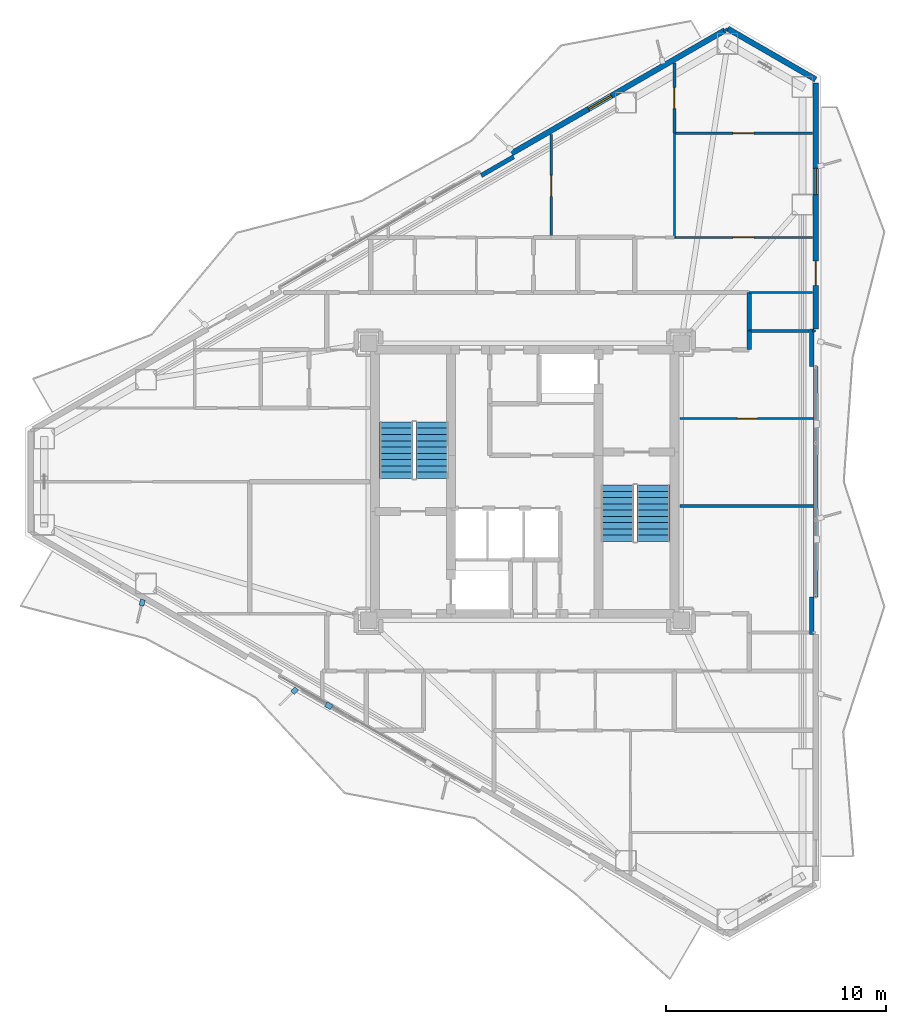
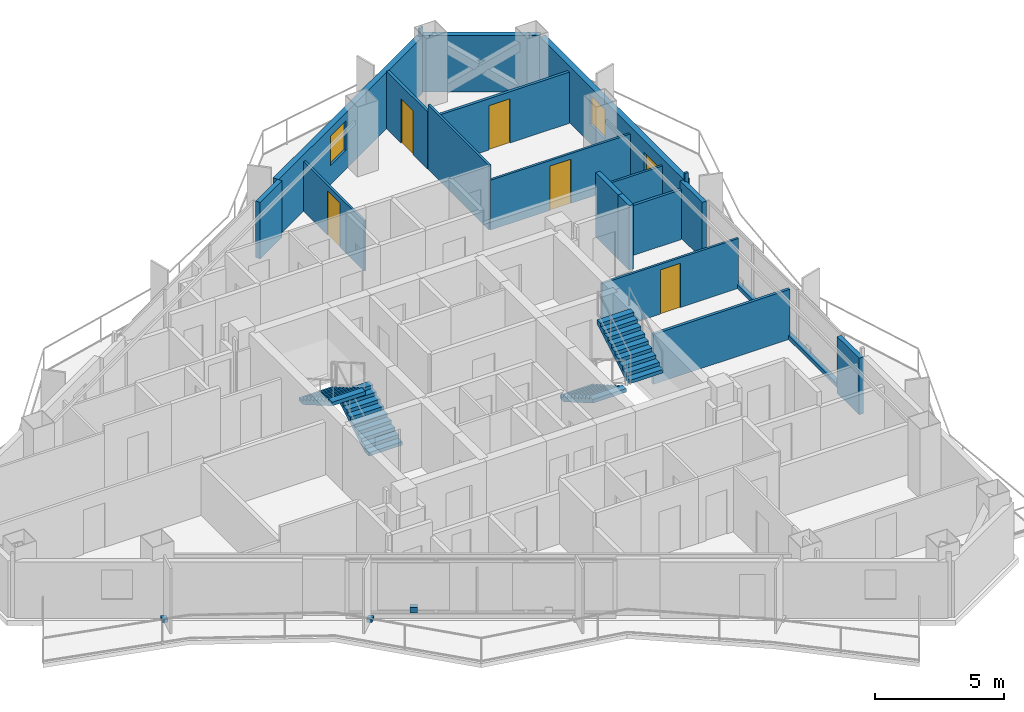
# One storey, part 16 of 19: 20 walls, 6 doors, 4 stair flights, 3 discrete accessories, 2 windows, 8 openings, 2 elements without a shape of their own.
"""IFC4 building model written with IfcOpenShell, lengths in metres."""

from ifc_helpers import new_model, si_unit, direction, frame, frame_2d, origin, origin_2d, place, context, subcontext, project, spatial, polyline, rectangle, outline, extrude, material, layer, layer_set, type_object, element, fill, aggregate, save


model = new_model("IFC4")

# Units and contexts
model_context = context("Model", 3, precision=1e-05, world=origin(), true_north=direction((0.0, 1.0)))
body_context = subcontext(model_context, "Body", "Model", "MODEL_VIEW")
ifc_project = project(units=[si_unit("LENGTHUNIT", "METRE"), si_unit("AREAUNIT", "SQUARE_METRE"), si_unit("VOLUMEUNIT", "CUBIC_METRE"), si_unit("PLANEANGLEUNIT", "RADIAN"), si_unit("MASSUNIT", "GRAM", prefix="KILO")], contexts=[model_context])

# Site, building, storey
site_placement = place(None, origin())
site = spatial("IfcSite", under=ifc_project, at=site_placement, CompositionType="ELEMENT")
building_placement = place(site_placement, origin())
building = spatial("IfcBuilding", under=site, at=building_placement, Name="Mersakhor Tower and Convention Hall", CompositionType="ELEMENT")
storey_placement = place(building_placement, frame((0.0, 0.0, 131.10009765625)))
storey = spatial("IfcBuildingStorey", under=building, at=storey_placement, Name="L36", CompositionType="ELEMENT", Elevation=131.10009765625)

# Wall
ifc_material_1 = material(Name="Precast concrete C40/50", Category="concrete")
ifc_layer_1 = layer(ifc_material_1, 0.25)
ifc_layer_set_1 = layer_set([ifc_layer_1], Name="Precast concrete C40/50")
wall_type_1 = type_object("IfcWallType", Name="WL-EXT-250", PredefinedType="SOLIDWALL", material=ifc_layer_set_1)
wall_1_placement = place(storey_placement, frame((38.220458984375, 47.337646484375, 0.0), z_axis=(0.0, 0.0, 1.0), x_axis=(0.866035021055, -0.499983342029, 0.0)))
element("IfcWall", 1, at=wall_1_placement, inside=storey, type_object=wall_type_1, Name="L36 Chamfer Braced Spandrel Wall C1", PredefinedType="SOLIDWALL", context=body_context, shape_type="SweptSolid", body=[
    extrude(rectangle(XDim=4.617431640625, YDim=0.25, at=frame_2d((2.30859375, 0.0))), origin(), (0.0, 0.0, 1.0), 2.679931640625),
])

# Wall, opening, window
wall_2_placement = place(storey_placement, frame((28.4033203125, 41.669677734375, 0.0), z_axis=(0.0, 0.0, 1.0), x_axis=(0.86602239209, 0.500005216371, 0.0)))
wall_2 = element("IfcWall", 2, at=wall_2_placement, inside=storey, type_object=wall_type_1, Name="L36 Exterior Facade Wall F1-B3", PredefinedType="SOLIDWALL", context=body_context, shape_type="SweptSolid", body=[
    extrude(rectangle(XDim=11.18603515625, YDim=0.25, at=frame_2d((5.593017578125, 0.0))), origin(), (0.0, 0.0, 1.0), 2.679931640625),
])
opening_1_placement = place(wall_2_placement, frame((4.0390625, 0.0, 0.89990234375)))
opening_1 = element("IfcOpeningElement", 3, at=opening_1_placement, cuts=wall_2, Name="Opening W-01", PredefinedType="OPENING", context=body_context, shape_type="SweptSolid", body=[
    extrude(rectangle(XDim=1.199951171875, YDim=1.39990234375, at=frame_2d((0.60009765625, 0.699951171875))), frame((0.0, 0.135009765625, 0.0), z_axis=(0.0, -1.0, 0.0), x_axis=(1.0, 0.0, 0.0)), (0.0, 0.0, 1.0), 0.27001953125),
])
ifc_material_2 = material(Name="Dark solar low-E glazed aluminium window", Category="aluminium")
window_type = type_object("IfcWindowType", Name="WN-RES-120x150", PartitioningType="SINGLE_PANEL", PredefinedType="WINDOW", material=ifc_material_2)
window_1_placement = place(opening_1_placement, origin())
window_1 = element("IfcWindow", 4, at=window_1_placement, inside=storey, type_object=window_type, Name="L36 Bedroom Facade Window F1-B3-1", OverallHeight=1.39990234375, OverallWidth=1.199951171875, PartitioningType="SINGLE_PANEL", PredefinedType="WINDOW", context=body_context, shape_type="SweptSolid", body=[
    extrude(rectangle(XDim=1.199951171875, YDim=1.39990234375, at=frame_2d((0.60009765625, 0.699951171875))), frame((0.0, 0.030029296875, 0.0), z_axis=(0.0, -1.0, 0.0), x_axis=(1.0, 0.0, 0.0)), (0.0, 0.0, 1.0), 0.06005859375),
])
fill(opening_1, window_1)

# Wall, openings, door, window
wall_3_placement = place(storey_placement, frame((42.21923828125, 44.87890625, 0.0), z_axis=(0.0, 0.0, 1.0), x_axis=(0.0, -1.0, 0.0)))
wall_3 = element("IfcWall", 5, at=wall_3_placement, inside=storey, type_object=wall_type_1, Name="L36 Exterior Facade Wall F2-B1", PredefinedType="SOLIDWALL", context=body_context, shape_type="SweptSolid", body=[
    extrude(rectangle(XDim=11.185791015625, YDim=0.25, at=frame_2d((5.5927734375, 0.0))), origin(), (0.0, 0.0, 1.0), 2.679931640625),
])
opening_2_placement = place(wall_3_placement, frame((8.10888671875, 0.0, 0.0)))
opening_2 = element("IfcOpeningElement", 6, at=opening_2_placement, cuts=wall_3, Name="Opening BD-02", PredefinedType="OPENING", context=body_context, shape_type="SweptSolid", body=[
    extrude(rectangle(XDim=1.10009765625, YDim=2.10009765625, at=frame_2d((0.550048828125, 1.050048828125))), frame((0.0, 0.135009765625, 0.0), z_axis=(0.0, -1.0, 0.0), x_axis=(1.0, 0.0, 0.0)), (0.0, 0.0, 1.0), 0.27001953125),
])
opening_3_placement = place(wall_3_placement, frame((3.885986328125, 0.0, 0.89990234375)))
opening_3 = element("IfcOpeningElement", 7, at=opening_3_placement, cuts=wall_3, Name="Opening W-01", PredefinedType="OPENING", context=body_context, shape_type="SweptSolid", body=[
    extrude(rectangle(XDim=1.199951171875, YDim=1.39990234375, at=frame_2d((0.60009765625, 0.699951171875))), frame((0.0, 0.135009765625, 0.0), z_axis=(0.0, -1.0, 0.0), x_axis=(1.0, 0.0, 0.0)), (0.0, 0.0, 1.0), 0.27001953125),
])
ifc_material_3 = material(Name="Thermally broken dark aluminium and safety glass", Category="aluminium")
door_type_1 = type_object("IfcDoorType", Name="DR-BAL-110x210", OperationType="NOTDEFINED", PredefinedType="DOOR", material=ifc_material_3)
door_1_placement = place(opening_2_placement, origin())
door_1 = element("IfcDoor", 8, at=door_1_placement, inside=storey, type_object=door_type_1, Name="L36 Balcony Terrace Door F2-B1", OperationType="SINGLE_SWING_RIGHT", OverallHeight=2.10009765625, OverallWidth=1.10009765625, PredefinedType="DOOR", context=body_context, shape_type="SweptSolid", body=[
    extrude(rectangle(XDim=1.10009765625, YDim=2.10009765625, at=frame_2d((0.550048828125, 1.050048828125))), frame((0.0, 0.02490234375, 0.0), z_axis=(0.0, -1.0, 0.0), x_axis=(1.0, 0.0, 0.0)), (0.0, 0.0, 1.0), 0.050048828125),
])
fill(opening_2, door_1)
window_2_placement = place(opening_3_placement, origin())
window_2 = element("IfcWindow", 9, at=window_2_placement, inside=storey, type_object=window_type, Name="L36 Bedroom Facade Window F2-B1-1", OverallHeight=1.39990234375, OverallWidth=1.199951171875, PartitioningType="SINGLE_PANEL", PredefinedType="WINDOW", context=body_context, shape_type="SweptSolid", body=[
    extrude(rectangle(XDim=1.199951171875, YDim=1.39990234375, at=frame_2d((0.60009765625, 0.699951171875))), frame((0.0, 0.030029296875, 0.0), z_axis=(0.0, -1.0, 0.0), x_axis=(1.0, 0.0, 0.0)), (0.0, 0.0, 1.0), 0.06005859375),
])
fill(opening_3, window_2)

# Walls
ifc_material_4 = material(Name="Precast concrete C40/50", Category="concrete")
ifc_layer_2 = layer(ifc_material_4, 0.199951171875)
ifc_layer_set_2 = layer_set([ifc_layer_2], Name="Precast concrete C40/50")
wall_type_2 = type_object("IfcWallType", Name="WL-PAR-200", PredefinedType="PARAPET", material=ifc_layer_set_2)
wall_4_placement = place(storey_placement, frame((27.02099609375, 40.663818359375, 0.0), z_axis=(0.0, 0.0, 1.0), x_axis=(0.86605165483, 0.499954529098, 0.0)))
element("IfcWall", 10, at=wall_4_placement, inside=storey, type_object=wall_type_2, Name="L36 Column Pier Cladding Wall F1-C2", PredefinedType="PARAPET", context=body_context, shape_type="SweptSolid", body=[
    extrude(rectangle(XDim=1.699951171875, YDim=0.199951171875, at=frame_2d((0.85009765625, 0.0))), origin(), (0.0, 0.0, 1.0), 2.679931640625),
])
wall_5_placement = place(storey_placement, frame((42.21923828125, 31.992919921875, 0.0), z_axis=(0.0, 0.0, 1.0), x_axis=(0.0, -1.0, 0.0)))
element("IfcWall", 11, at=wall_5_placement, inside=storey, type_object=wall_type_2, Name="L36 Curtain Wall Upstand Sill F2-B2", PredefinedType="PARAPET", context=body_context, shape_type="SweptSolid", body=[
    extrude(rectangle(XDim=10.48583984375, YDim=0.199951171875, at=frame_2d((5.242919921875, 0.0))), origin(), (0.0, 0.0, 1.0), 0.199951171875),
])
for number, where, z_axis, x_axis, name in (
    (12, (42.039306640625, 33.693115234375, 0.0), (0.0, 0.0, 1.0), (0.0, -1.0, 0.0), "L36 Column Pier Cladding Wall F2-C1"),
    (13, (42.039306640625, 21.507080078125, 0.0), (0.0, 0.0, 1.0), (0.0, -1.0, 0.0), "L36 Column Pier Cladding Wall F2-C2"),
):
    element("IfcWall", number, at=place(storey_placement, frame(where, z_axis=z_axis, x_axis=x_axis)), inside=storey, type_object=wall_type_2, Name=name, PredefinedType="PARAPET", context=body_context, shape_type="SweptSolid", body=[
        extrude(rectangle(XDim=1.7001953125, YDim=0.199951171875, at=frame_2d((0.85009765625, 0.0))), origin(), (0.0, 0.0, 1.0), 2.679931640625),
    ])

# Wall, opening, door
ifc_material_5 = material(Name="Lightweight gypsum partition", Category="other")
ifc_layer_3 = layer(ifc_material_5, 0.10009765625)
ifc_layer_set_3 = layer_set([ifc_layer_3], Name="Lightweight gypsum partition")
wall_type_3 = type_object("IfcWallType", Name="WL-PRT-100", PredefinedType="PARTITIONING", material=ifc_layer_set_3)
wall_6_placement = place(storey_placement, frame((36.050048828125, 29.6201171875, 0.0), z_axis=(0.0, 0.0, 1.0), x_axis=(1.0, 0.0, 0.0)))
wall_6 = element("IfcWall", 14, at=wall_6_placement, inside=storey, type_object=wall_type_3, Name="L36 Interior Partition Wall P-098", PredefinedType="PARTITIONING", context=body_context, shape_type="SweptSolid", body=[
    extrude(rectangle(XDim=6.131103515625, YDim=0.10009765625, at=frame_2d((3.0654296875, 0.0))), origin(), (0.0, 0.0, 1.0), 2.364990234375),
])
opening_4_placement = place(wall_6_placement, frame((2.615478515625, 0.0, 0.0)))
opening_4 = element("IfcOpeningElement", 15, at=opening_4_placement, cuts=wall_6, Name="Opening WD-01", PredefinedType="OPENING", context=body_context, shape_type="SweptSolid", body=[
    extrude(rectangle(XDim=0.89990234375, YDim=2.10009765625, at=frame_2d((0.449951171875, 1.050048828125))), frame((0.0, 0.06005859375, 0.0), z_axis=(0.0, -1.0, 0.0), x_axis=(1.0, 0.0, 0.0)), (0.0, 0.0, 1.0), 0.1201171875),
])
ifc_material_6 = material(Name="Solid-core hardwood leaf in painted steel frame", Category="steel")
door_type_2 = type_object("IfcDoorType", Name="DR-INT-WET-090x210", OperationType="NOTDEFINED", PredefinedType="DOOR", material=ifc_material_6)
door_2_placement = place(opening_4_placement, origin())
door_2 = element("IfcDoor", 16, at=door_2_placement, inside=storey, type_object=door_type_2, Name="L36 L36 East Wing Sky Study Room to L36 East Wing Sky Study Room Annex Door", OperationType="SINGLE_SWING_RIGHT", OverallHeight=2.10009765625, OverallWidth=0.89990234375, PredefinedType="DOOR", context=body_context, shape_type="SweptSolid", body=[
    extrude(rectangle(XDim=0.89990234375, YDim=2.10009765625, at=frame_2d((0.449951171875, 1.050048828125))), frame((0.0, 0.02490234375, 0.0), z_axis=(0.0, -1.0, 0.0), x_axis=(1.0, 0.0, 0.0)), (0.0, 0.0, 1.0), 0.050048828125),
])
fill(opening_4, door_2)

# Walls
wall_7_placement = place(storey_placement, frame((42.07421875, 33.60009765625, 0.0), z_axis=(0.0, 0.0, 1.0), x_axis=(1.0, 0.0, 0.0)))
element("IfcWall", 17, at=wall_7_placement, inside=storey, type_object=wall_type_3, Name="L36 Interior Partition Wall P-102", PredefinedType="PARTITIONING", context=body_context, shape_type="SweptSolid", body=[
    extrude(rectangle(XDim=0.144775390625, YDim=0.10009765625, at=frame_2d((0.072265625, 0.0))), origin(), (0.0, 0.0, 1.0), 3.059814453125),
])
wall_8_placement = place(storey_placement, frame((42.0703125, 35.35009765625, 0.0), z_axis=(0.0, 0.0, 1.0), x_axis=(-1.0, 0.0, 0.0)))
element("IfcWall", 18, at=wall_8_placement, inside=storey, type_object=wall_type_3, Name="L36 Interior Partition Wall P-108", PredefinedType="PARTITIONING", context=body_context, shape_type="SweptSolid", body=[
    extrude(rectangle(XDim=2.870361328125, YDim=0.10009765625, at=frame_2d((1.43505859375, 0.0))), origin(), (0.0, 0.0, 1.0), 2.364990234375),
])

# Wall, opening, door
wall_9_placement = place(storey_placement, frame((35.800048828125, 37.85009765625, 0.0), z_axis=(0.0, 0.0, 1.0), x_axis=(1.0, 0.0, 0.0)))
wall_9 = element("IfcWall", 19, at=wall_9_placement, inside=storey, type_object=wall_type_3, Name="L36 Interior Partition Wall P-110", PredefinedType="PARTITIONING", context=body_context, shape_type="SweptSolid", body=[
    extrude(rectangle(XDim=6.270263671875, YDim=0.10009765625, at=frame_2d((3.13525390625, 0.0))), origin(), (0.0, 0.0, 1.0), 2.364990234375),
])
opening_5_placement = place(wall_9_placement, frame((2.66015625, 0.0, 0.0)))
opening_5 = element("IfcOpeningElement", 20, at=opening_5_placement, cuts=wall_9, Name="Opening RD-01", PredefinedType="OPENING", context=body_context, shape_type="SweptSolid", body=[
    extrude(rectangle(XDim=0.949951171875, YDim=2.10009765625, at=frame_2d((0.47509765625, 1.050048828125))), frame((0.0, 0.06005859375, 0.0), z_axis=(0.0, -1.0, 0.0), x_axis=(1.0, 0.0, 0.0)), (0.0, 0.0, 1.0), 0.1201171875),
])
ifc_material_7 = material(Name="Solid-core hardwood leaf in painted steel frame", Category="steel")
door_type_3 = type_object("IfcDoorType", Name="DR-INT-RM-095x210", OperationType="NOTDEFINED", PredefinedType="DOOR", material=ifc_material_7)
door_3_placement = place(opening_5_placement, origin())
door_3 = element("IfcDoor", 21, at=door_3_placement, inside=storey, type_object=door_type_3, Name="L36 L36 Flat N1 Study Room to L36 Flat N1 Bedroom 2 Door", OperationType="SINGLE_SWING_LEFT", OverallHeight=2.10009765625, OverallWidth=0.949951171875, PredefinedType="DOOR", context=body_context, shape_type="SweptSolid", body=[
    extrude(rectangle(XDim=0.949951171875, YDim=2.10009765625, at=frame_2d((0.47509765625, 1.050048828125))), frame((0.0, 0.02490234375, 0.0), z_axis=(0.0, -1.0, 0.0), x_axis=(1.0, 0.0, 0.0)), (0.0, 0.0, 1.0), 0.050048828125),
])
fill(opening_5, door_3)

wall_10_placement = place(storey_placement, frame((30.199951171875, 42.534912109375, 0.0), z_axis=(0.0, 0.0, 1.0), x_axis=(0.0, -1.0, 0.0)))
wall_10 = element("IfcWall", 22, at=wall_10_placement, inside=storey, type_object=wall_type_3, Name="L36 Interior Partition Wall P-112", PredefinedType="PARTITIONING", context=body_context, shape_type="SweptSolid", body=[
    extrude(rectangle(XDim=4.684814453125, YDim=0.10009765625, at=frame_2d((2.34228515625, 0.0))), origin(), (0.0, 0.0, 1.0), 2.364990234375),
])
opening_6_placement = place(wall_10_placement, frame((1.867431640625, 0.0, 0.0)))
opening_6 = element("IfcOpeningElement", 23, at=opening_6_placement, cuts=wall_10, Name="Opening RD-01", PredefinedType="OPENING", context=body_context, shape_type="SweptSolid", body=[
    extrude(rectangle(XDim=0.949951171875, YDim=2.10009765625, at=frame_2d((0.47509765625, 1.050048828125))), frame((0.0, 0.06005859375, 0.0), z_axis=(0.0, -1.0, 0.0), x_axis=(1.0, 0.0, 0.0)), (0.0, 0.0, 1.0), 0.1201171875),
])
door_4_placement = place(opening_6_placement, origin())
door_4 = element("IfcDoor", 24, at=door_4_placement, inside=storey, type_object=door_type_3, Name="L36 L36 Flat N1 Living and Dining Room to L36 Flat N1 Master Bedroom Door", OperationType="SINGLE_SWING_RIGHT", OverallHeight=2.10009765625, OverallWidth=0.949951171875, PredefinedType="DOOR", context=body_context, shape_type="SweptSolid", body=[
    extrude(rectangle(XDim=0.949951171875, YDim=2.10009765625, at=frame_2d((0.47509765625, 1.050048828125))), frame((0.0, 0.02490234375, 0.0), z_axis=(0.0, -1.0, 0.0), x_axis=(1.0, 0.0, 0.0)), (0.0, 0.0, 1.0), 0.050048828125),
])
fill(opening_6, door_4)

# Walls
wall_11_placement = place(storey_placement, frame((35.800048828125, 42.590087890625, 0.0), z_axis=(0.0, 0.0, 1.0), x_axis=(0.0, -1.0, 0.0)))
element("IfcWall", 25, at=wall_11_placement, inside=storey, type_object=wall_type_3, Name="L36 Interior Partition Wall P-114", PredefinedType="PARTITIONING", context=body_context, shape_type="SweptSolid", body=[
    extrude(rectangle(XDim=4.739990234375, YDim=0.10009765625, at=frame_2d((2.3701171875, 0.0))), origin(), (0.0, 0.0, 1.0), 3.059814453125),
])
wall_12_placement = place(storey_placement, frame((38.0341796875, 47.22998046875, 0.0), z_axis=(0.0, 0.0, 1.0), x_axis=(0.865581379588, 0.500768285049, 0.0)))
element("IfcWall", 26, at=wall_12_placement, inside=storey, type_object=wall_type_3, Name="L36 Interior Partition Wall P-116", PredefinedType="PARTITIONING", context=body_context, shape_type="SweptSolid", body=[
    extrude(rectangle(XDim=0.215576171875, YDim=0.10009765625, at=frame_2d((0.10791015625, 0.0))), origin(), (0.0, 0.0, 1.0), 3.059814453125),
])
ifc_material_8 = material(Name="Gypsum board acoustic partition", Category="other")
ifc_layer_4 = layer(ifc_material_8, 0.125)
ifc_layer_set_4 = layer_set([ifc_layer_4], Name="Gypsum board acoustic partition")
wall_type_4 = type_object("IfcWallType", Name="WL-PRT-125", PredefinedType="PARTITIONING", material=ifc_layer_set_4)
wall_13_placement = place(storey_placement, frame((42.18115234375, 25.64990234375, 0.0), z_axis=(0.0, 0.0, 1.0), x_axis=(-1.0, 0.0, 0.0)))
element("IfcWall", 27, at=wall_13_placement, inside=storey, type_object=wall_type_4, Name="L36 Interior Partition Wall P-099", PredefinedType="PARTITIONING", context=body_context, shape_type="SweptSolid", body=[
    extrude(rectangle(XDim=6.131103515625, YDim=0.125, at=frame_2d((3.0654296875, 0.0))), origin(), (0.0, 0.0, 1.0), 2.364990234375),
])
wall_14_placement = place(storey_placement, frame((39.199951171875, 33.60009765625, 0.0), z_axis=(0.0, 0.0, 1.0), x_axis=(1.0, 0.0, 0.0)))
element("IfcWall", 28, at=wall_14_placement, inside=storey, type_object=wall_type_4, Name="L36 Interior Partition Wall P-101", PredefinedType="PARTITIONING", context=body_context, shape_type="SweptSolid", body=[
    extrude(rectangle(XDim=2.71533203125, YDim=0.125, at=frame_2d((1.357666015625, 0.0))), origin(), (0.0, 0.0, 1.0), 2.364990234375),
])

# Wall, opening, door
wall_15_placement = place(storey_placement, frame((35.800048828125, 45.76806640625, 0.0), z_axis=(0.0, 0.0, 1.0), x_axis=(0.0, -1.0, 0.0)))
wall_15 = element("IfcWall", 29, at=wall_15_placement, inside=storey, type_object=wall_type_4, Name="L36 Interior Partition Wall P-113", PredefinedType="PARTITIONING", context=body_context, shape_type="SweptSolid", body=[
    extrude(rectangle(XDim=3.177978515625, YDim=0.125, at=frame_2d((1.5888671875, 0.0))), origin(), (0.0, 0.0, 1.0), 2.724365234375),
])
opening_7_placement = place(wall_15_placement, frame((1.114013671875, 0.0, 0.0)))
opening_7 = element("IfcOpeningElement", 30, at=opening_7_placement, cuts=wall_15, Name="Opening RD-01", PredefinedType="OPENING", context=body_context, shape_type="SweptSolid", body=[
    extrude(rectangle(XDim=0.949951171875, YDim=2.10009765625, at=frame_2d((0.47509765625, 1.050048828125))), frame((0.0, 0.072509765625, 0.0), z_axis=(0.0, -1.0, 0.0), x_axis=(1.0, 0.0, 0.0)), (0.0, 0.0, 1.0), 0.14501953125),
])
door_5_placement = place(opening_7_placement, origin())
door_5 = element("IfcDoor", 31, at=door_5_placement, inside=storey, type_object=door_type_3, Name="L36 L36 Flat N1 Master Bedroom to L36 Flat N1 Study Room Door", OperationType="SINGLE_SWING_LEFT", OverallHeight=2.10009765625, OverallWidth=0.949951171875, PredefinedType="DOOR", context=body_context, shape_type="SweptSolid", body=[
    extrude(rectangle(XDim=0.949951171875, YDim=2.10009765625, at=frame_2d((0.47509765625, 1.050048828125))), frame((0.0, 0.02490234375, 0.0), z_axis=(0.0, -1.0, 0.0), x_axis=(1.0, 0.0, 0.0)), (0.0, 0.0, 1.0), 0.050048828125),
])
fill(opening_7, door_5)

wall_16_placement = place(storey_placement, frame((35.800048828125, 42.590087890625, 0.0), z_axis=(0.0, 0.0, 1.0), x_axis=(1.0, 0.0, 0.0)))
wall_16 = element("IfcWall", 32, at=wall_16_placement, inside=storey, type_object=wall_type_4, Name="L36 Interior Partition Wall P-115", PredefinedType="PARTITIONING", context=body_context, shape_type="SweptSolid", body=[
    extrude(rectangle(XDim=6.270263671875, YDim=0.125, at=frame_2d((3.13525390625, 0.0))), origin(), (0.0, 0.0, 1.0), 2.4326171875),
])
opening_8_placement = place(wall_16_placement, frame((2.66015625, 0.0, 0.0)))
opening_8 = element("IfcOpeningElement", 33, at=opening_8_placement, cuts=wall_16, Name="Opening RD-01", PredefinedType="OPENING", context=body_context, shape_type="SweptSolid", body=[
    extrude(rectangle(XDim=0.949951171875, YDim=2.10009765625, at=frame_2d((0.47509765625, 1.050048828125))), frame((0.0, 0.072509765625, 0.0), z_axis=(0.0, -1.0, 0.0), x_axis=(1.0, 0.0, 0.0)), (0.0, 0.0, 1.0), 0.14501953125),
])
door_6_placement = place(opening_8_placement, origin())
door_6 = element("IfcDoor", 34, at=door_6_placement, inside=storey, type_object=door_type_3, Name="L36 L36 Flat N1 Bedroom 2 to L36 Flat N1 Study Room Door", OperationType="SINGLE_SWING_RIGHT", OverallHeight=2.10009765625, OverallWidth=0.949951171875, PredefinedType="DOOR", context=body_context, shape_type="SweptSolid", body=[
    extrude(rectangle(XDim=0.949951171875, YDim=2.10009765625, at=frame_2d((0.47509765625, 1.050048828125))), frame((0.0, 0.02490234375, 0.0), z_axis=(0.0, -1.0, 0.0), x_axis=(1.0, 0.0, 0.0)), (0.0, 0.0, 1.0), 0.050048828125),
])
fill(opening_8, door_6)

# Walls
ifc_material_9 = material(Name="Acoustic concrete blockwork and gypsum board", Category="masonry")
ifc_layer_5 = layer(ifc_material_9, 0.199951171875)
ifc_layer_set_5 = layer_set([ifc_layer_5], Name="Acoustic concrete blockwork and gypsum board")
wall_type_5 = type_object("IfcWallType", Name="WL-PRT-200", PredefinedType="PARTITIONING", material=ifc_layer_set_5)
wall_17_placement = place(storey_placement, frame((39.199951171875, 35.35009765625, 0.0), z_axis=(0.0, 0.0, 1.0), x_axis=(0.0, -1.0, 0.0)))
element("IfcWall", 35, at=wall_17_placement, inside=storey, type_object=wall_type_5, Name="L36 Interior Partition Wall P-029", PredefinedType="PARTITIONING", context=body_context, shape_type="SweptSolid", body=[
    extrude(rectangle(XDim=1.75, YDim=0.199951171875, at=frame_2d((0.875, 0.0))), origin(), (0.0, 0.0, 1.0), 3.059814453125),
])
wall_18_placement = place(storey_placement, frame((39.199951171875, 33.60009765625, 0.0), z_axis=(0.0, 0.0, 1.0), x_axis=(0.0, -1.0, 0.0)))
element("IfcWall", 36, at=wall_18_placement, inside=storey, type_object=wall_type_5, Name="L36 Interior Partition Wall P-030", PredefinedType="PARTITIONING", context=body_context, shape_type="SweptSolid", body=[
    extrude(rectangle(XDim=0.85009765625, YDim=0.199951171875, at=frame_2d((0.425048828125, 0.0))), origin(), (0.0, 0.0, 1.0), 3.059814453125),
])

# Stair, stair flights
ifc_material_10 = material(Name="Concrete C45/55", Category="concrete")
stair_type = type_object("IfcStairType", Name="ST-TWR-20R", PredefinedType="HALF_TURN_STAIR", material=ifc_material_10)
stair_1_placement = place(storey_placement, origin())
stair_1 = element("IfcStair", 37, at=stair_1_placement, inside=storey, type_object=stair_type, Name="L36 Tower Protected Exit Stair ST-1", PredefinedType="HALF_TURN_STAIR")
ifc_material_11 = material(Name="Concrete C45/55", Category="concrete")
stair_flight_type = type_object("IfcStairFlightType", Name="SFL-TWR-20R", PredefinedType="STRAIGHT", material=ifc_material_11)
stair_flight_1_placement = place(storey_placement, frame((24.800048828125, 26.89990234375, 0.0), z_axis=(0.0, 0.0, 1.0), x_axis=(0.0, 1.0, 0.0)))
stair_flight_1 = element("IfcStairFlight", 38, at=stair_flight_1_placement, type_object=stair_flight_type, Name="ST-1 flight 1", NumberOfRisers=10, NumberOfTreads=9, PredefinedType="STRAIGHT", RiserHeight=0.165, TreadLength=0.285, context=body_context, shape_type="SweptSolid", body=[
    extrude(outline(polyline([(0.0, 0.0), (0.0, 0.1650390625), (0.284912109375, 0.1650390625), (0.284912109375, 0.330078125), (0.570068359375, 0.330078125), (0.570068359375, 0.4951171875), (0.85498046875, 0.4951171875), (0.85498046875, 0.659912109375), (1.139892578125, 0.659912109375), (1.139892578125, 0.824951171875), (1.425048828125, 0.824951171875), (1.425048828125, 0.989990234375), (1.7099609375, 0.989990234375), (1.7099609375, 1.155029296875), (1.9951171875, 1.155029296875), (1.9951171875, 1.320068359375), (2.280029296875, 1.320068359375), (2.280029296875, 1.485107421875), (2.56494140625, 1.485107421875), (2.56494140625, 1.64990234375), (2.56494140625, 1.311767578125), (0.299072265625, 0.0), (0.0, 0.0)])), frame((0.0, 0.75, 0.0), z_axis=(0.0, -1.0, 0.0), x_axis=(1.0, 0.0, 0.0)), (0.0, 0.0, 1.0), 1.5),
])
stair_flight_2_placement = place(storey_placement, frame((23.14990234375, 29.465087890625, 1.64990234375), z_axis=(0.0, 0.0, 1.0), x_axis=(0.0, -1.0, 0.0)))
stair_flight_2 = element("IfcStairFlight", 39, at=stair_flight_2_placement, type_object=stair_flight_type, Name="ST-1 flight 2", NumberOfRisers=10, NumberOfTreads=9, PredefinedType="STRAIGHT", RiserHeight=0.165, TreadLength=0.285, context=body_context, shape_type="SweptSolid", body=[
    extrude(outline(polyline([(0.0, 0.0), (0.0, 0.1650390625), (0.284912109375, 0.1650390625), (0.284912109375, 0.330078125), (0.570068359375, 0.330078125), (0.570068359375, 0.4951171875), (0.85498046875, 0.4951171875), (0.85498046875, 0.659912109375), (1.139892578125, 0.659912109375), (1.139892578125, 0.824951171875), (1.425048828125, 0.824951171875), (1.425048828125, 0.989990234375), (1.7099609375, 0.989990234375), (1.7099609375, 1.155029296875), (1.9951171875, 1.155029296875), (1.9951171875, 1.320068359375), (2.280029296875, 1.320068359375), (2.280029296875, 1.485107421875), (2.56494140625, 1.485107421875), (2.56494140625, 1.64990234375), (2.56494140625, 1.311767578125), (0.299072265625, 0.0), (0.0, 0.0)])), frame((0.0, 0.75, 0.0), z_axis=(0.0, -1.0, 0.0), x_axis=(1.0, 0.0, 0.0)), (0.0, 0.0, 1.0), 1.5),
])
aggregate(stair_1, [stair_flight_1, stair_flight_2])

stair_2_placement = place(storey_placement, origin())
stair_2 = element("IfcStair", 40, at=stair_2_placement, inside=storey, type_object=stair_type, Name="L36 Tower Protected Exit Stair ST-2", PredefinedType="HALF_TURN_STAIR")
stair_flight_3_placement = place(storey_placement, frame((33.199951171875, 26.60009765625, 0.0), z_axis=(0.0, 0.0, 1.0), x_axis=(0.0, -1.0, 0.0)))
stair_flight_3 = element("IfcStairFlight", 41, at=stair_flight_3_placement, type_object=stair_flight_type, Name="ST-2 flight 1", NumberOfRisers=10, NumberOfTreads=9, PredefinedType="STRAIGHT", RiserHeight=0.165, TreadLength=0.285, context=body_context, shape_type="SweptSolid", body=[
    extrude(outline(polyline([(0.0, 0.0), (0.0, 0.1650390625), (0.284912109375, 0.1650390625), (0.284912109375, 0.330078125), (0.570068359375, 0.330078125), (0.570068359375, 0.4951171875), (0.85498046875, 0.4951171875), (0.85498046875, 0.659912109375), (1.139892578125, 0.659912109375), (1.139892578125, 0.824951171875), (1.425048828125, 0.824951171875), (1.425048828125, 0.989990234375), (1.7099609375, 0.989990234375), (1.7099609375, 1.155029296875), (1.9951171875, 1.155029296875), (1.9951171875, 1.320068359375), (2.280029296875, 1.320068359375), (2.280029296875, 1.485107421875), (2.56494140625, 1.485107421875), (2.56494140625, 1.64990234375), (2.56494140625, 1.311767578125), (0.299072265625, 0.0), (0.0, 0.0)])), frame((0.0, 0.75, 0.0), z_axis=(0.0, -1.0, 0.0), x_axis=(1.0, 0.0, 0.0)), (0.0, 0.0, 1.0), 1.5),
])
stair_flight_4_placement = place(storey_placement, frame((34.85009765625, 24.034912109375, 1.64990234375), z_axis=(0.0, 0.0, 1.0), x_axis=(0.0, 1.0, 0.0)))
stair_flight_4 = element("IfcStairFlight", 42, at=stair_flight_4_placement, type_object=stair_flight_type, Name="ST-2 flight 2", NumberOfRisers=10, NumberOfTreads=9, PredefinedType="STRAIGHT", RiserHeight=0.165, TreadLength=0.285, context=body_context, shape_type="SweptSolid", body=[
    extrude(outline(polyline([(0.0, 0.0), (0.0, 0.1650390625), (0.284912109375, 0.1650390625), (0.284912109375, 0.330078125), (0.570068359375, 0.330078125), (0.570068359375, 0.4951171875), (0.85498046875, 0.4951171875), (0.85498046875, 0.659912109375), (1.139892578125, 0.659912109375), (1.139892578125, 0.824951171875), (1.425048828125, 0.824951171875), (1.425048828125, 0.989990234375), (1.7099609375, 0.989990234375), (1.7099609375, 1.155029296875), (1.9951171875, 1.155029296875), (1.9951171875, 1.320068359375), (2.280029296875, 1.320068359375), (2.280029296875, 1.485107421875), (2.56494140625, 1.485107421875), (2.56494140625, 1.64990234375), (2.56494140625, 1.311767578125), (0.299072265625, 0.0), (0.0, 0.0)])), frame((0.0, 0.75, 0.0), z_axis=(0.0, -1.0, 0.0), x_axis=(1.0, 0.0, 0.0)), (0.0, 0.0, 1.0), 1.5),
])
aggregate(stair_2, [stair_flight_3, stair_flight_4])

# Discrete accessories
ifc_material_12 = material(Name="Galvanised steel bracket", Category="steel")
ifc_layer_6 = layer(ifc_material_12, 0.02001953125)
ifc_layer_set_6 = layer_set([ifc_layer_6], Name="Galvanised steel bracket")
discrete_accessory_type = type_object("IfcDiscreteAccessoryType", Name="ACC-BRK-STL", PredefinedType="BRACKET", material=ifc_layer_set_6)
discrete_accessory_placement = place(storey_placement, frame((20.09521484375, 16.5693359375, 0.2900390625), z_axis=(0.0, 0.0, 1.0), x_axis=(-0.866025403784, 0.5, 0.0)))
element("IfcDiscreteAccessory", 43, at=discrete_accessory_placement, inside=storey, type_object=discrete_accessory_type, Name="L36 Solar Screen Outrigger Bracket BRK-3-2", PredefinedType="BRACKET", context=body_context, shape_type="SweptSolid", body=[
    extrude(rectangle(XDim=0.300048828125, YDim=0.239990234375, at=origin_2d()), origin(), (0.0, 0.0, 1.0), 0.260009765625),
])
for number, where, z_axis, x_axis, name in (
    (44, (18.542724609375, 17.2578125, -0.02001953125), (0.0, 0.0, 1.0), (-0.719339800339, -0.694658370459, 0.0), "L36 Facade Fin Base Cleat Bracket FBRK-3-3"),
    (45, (11.614501953125, 21.257568359375, -0.02001953125), (0.0, 0.0, 1.0), (-0.2419218956, -0.970295726276, 0.0), "L36 Facade Fin Base Cleat Bracket FBRK-3-4"),
):
    element("IfcDiscreteAccessory", number, at=place(storey_placement, frame(where, z_axis=z_axis, x_axis=x_axis)), inside=storey, type_object=discrete_accessory_type, Name=name, PredefinedType="BRACKET", context=body_context, shape_type="SweptSolid", body=[
        extrude(rectangle(XDim=0.280029296875, YDim=0.219970703125, at=origin_2d()), origin(), (0.0, 0.0, 1.0), 0.159912109375),
    ])

save(model, "model.ifc")
